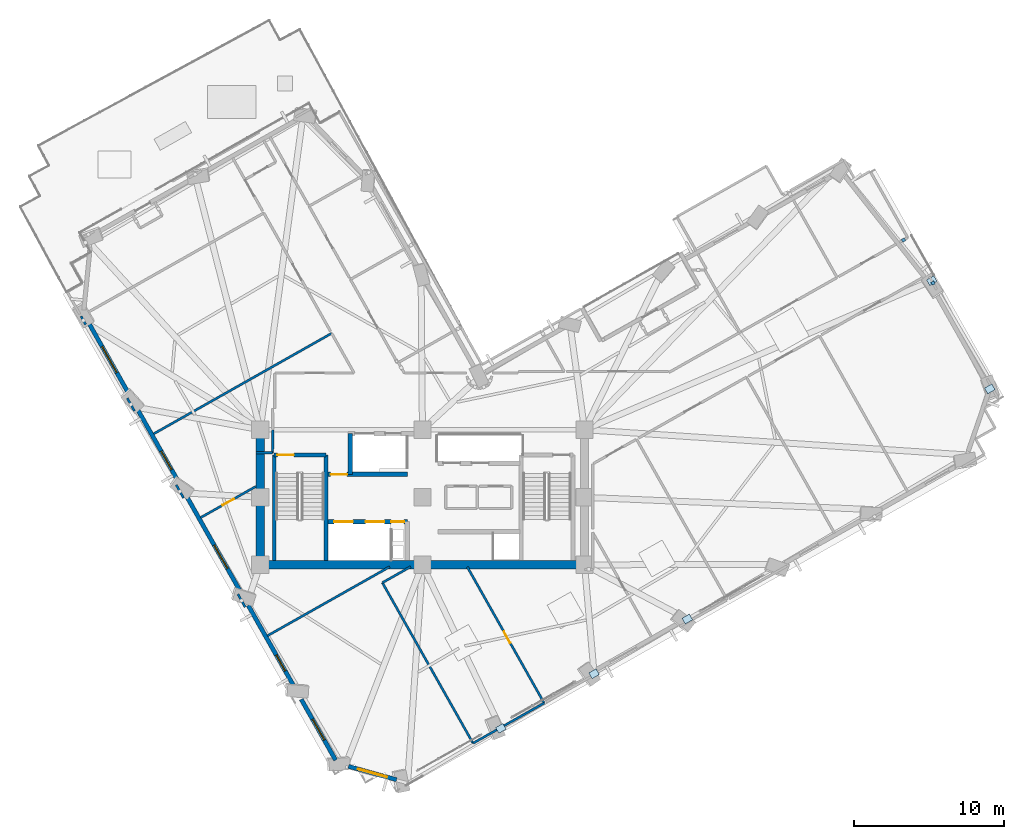
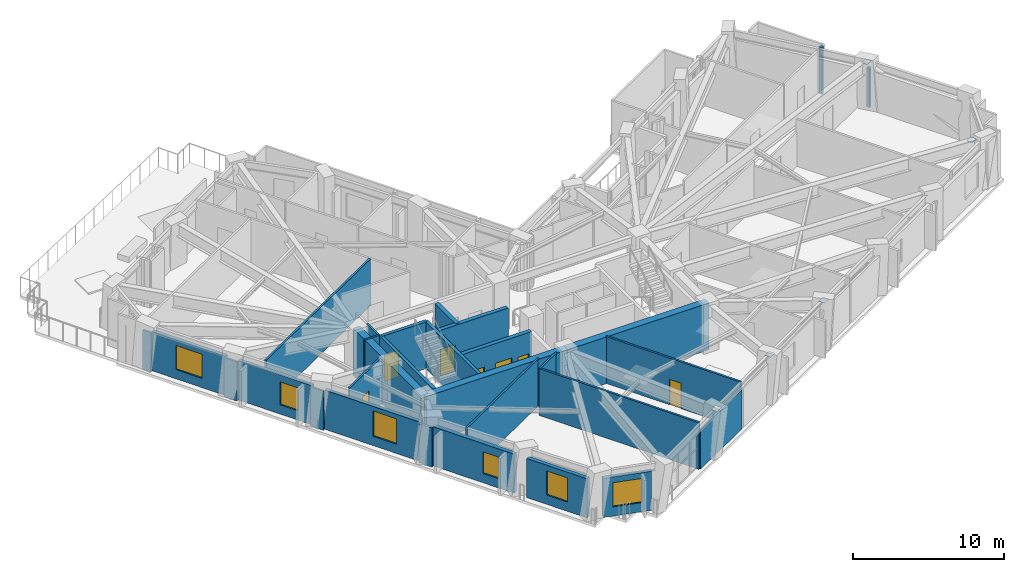
# One storey, part 10 of 18: 28 walls, 7 doors, 7 plates, 6 windows, 13 openings.
"""IFC4 building model written with IfcOpenShell, lengths in metres."""

from ifc_helpers import new_model, si_unit, direction, frame, frame_2d, origin, origin_2d, place, context, subcontext, project, spatial, rectangle, extrude, material, layer, layer_set, type_object, element, fill, save


model = new_model("IFC4")

# Units and contexts
model_context = context("Model", 3, precision=1e-05, world=origin(), true_north=direction((0.0, 1.0)))
body_context = subcontext(model_context, "Body", "Model", "MODEL_VIEW")
ifc_project = project(units=[si_unit("LENGTHUNIT", "METRE"), si_unit("AREAUNIT", "SQUARE_METRE"), si_unit("VOLUMEUNIT", "CUBIC_METRE"), si_unit("PLANEANGLEUNIT", "RADIAN"), si_unit("MASSUNIT", "GRAM", prefix="KILO")], contexts=[model_context])

# Site, building, storey
site_placement = place(None, origin())
site = spatial("IfcSite", under=ifc_project, at=site_placement, CompositionType="ELEMENT")
building_placement = place(site_placement, origin())
building = spatial("IfcBuilding", under=site, at=building_placement, Name="Gaonmaruhae Medical Tower", CompositionType="ELEMENT")
storey_placement = place(building_placement, frame((0.0, 0.0, 149.800048828125)))
storey = spatial("IfcBuildingStorey", under=building, at=storey_placement, Name="L35", CompositionType="ELEMENT", Elevation=149.800048828125)

# Plates
ifc_material_1 = material(Name="Steel HSA650 (650 MPa)", Category="steel")
ifc_layer_1 = layer(ifc_material_1, 0.028076171875)
ifc_layer_set_1 = layer_set([ifc_layer_1], Name="Steel HSA650 (650 MPa)")
plate_type_1 = type_object("IfcPlateType", Name="GP-02 Tube Brace End Cap Gusset Plate", PredefinedType="USERDEFINED", material=ifc_layer_set_1)
for number, where, z_axis, x_axis, name in (
    (1, (62.591064453125, 19.52197265625, 0.23583984375), (0.0, 0.0, 1.0), (0.8707850851, 0.491663844071, 0.0), "L35 Gusset Cap Plate PLT-L35-PBR-E01A"),
    (2, (58.7275390625, 26.73095703125, 3.51611328125), (0.0, 0.0, 1.0), (0.862513669207, 0.506033764121, 0.0), "L35 Gusset Cap Plate PLT-L35-PBR-E01B"),
    (3, (30.02392578125, -3.0947265625, 3.61083984375), (0.0, 0.0, 1.0), (0.862513669207, 0.506033764121, 0.0), "L35 Gusset Cap Plate PLT-L35-SGPR1A"),
    (4, (36.234130859375, 0.548828125, 3.61083984375), (0.0, 0.0, 1.0), (0.862513669207, 0.506033764121, 0.0), "L35 Gusset Cap Plate PLT-L35-SGPR1B"),
    (5, (42.444091796875, 4.192138671875, 3.61083984375), (0.0, 0.0, 1.0), (0.862513669207, 0.506033764121, 0.0), "L35 Gusset Cap Plate PLT-L35-SGPR2B"),
):
    element("IfcPlate", number, at=place(storey_placement, frame(where, z_axis=z_axis, x_axis=x_axis)), inside=storey, type_object=plate_type_1, Name=name, ObjectType="GUSSET_PLATE", PredefinedType="USERDEFINED", context=body_context, shape_type="SweptSolid", body=[
        extrude(rectangle(XDim=0.56005859375, YDim=0.43994140625, at=origin_2d()), origin(), (0.0, 0.0, 1.0), 0.028076171875),
    ])
ifc_material_2 = material(Name="Anodised aluminium 6063-T6", Category="aluminium")
ifc_layer_2 = layer(ifc_material_2, 0.011962890625)
ifc_layer_set_2 = layer_set([ifc_layer_2], Name="Anodised aluminium 6063-T6")
plate_type_2 = type_object("IfcPlateType", Name="PP-01 Interior Partition Corner Stiffener Plate", PredefinedType="SHEET", material=ifc_layer_set_2)
plate_1_placement = place(storey_placement, frame((58.80859375, 26.56689453125, 0.0), z_axis=(0.0, 0.0, 1.0), x_axis=(0.491223037174, -0.871033826983, 0.0)))
element("IfcPlate", 6, at=plate_1_placement, inside=storey, type_object=plate_type_2, Name="L35 Partition Corner Stiffener Plate PLT-L35-JGP-PW030", PredefinedType="SHEET", context=body_context, shape_type="SweptSolid", body=[
    extrude(rectangle(XDim=0.219970703125, YDim=0.219970703125, at=origin_2d()), origin(), (0.0, 0.0, 1.0), 3.1650390625),
])
plate_2_placement = place(storey_placement, frame((56.843505859375, 29.4375, 0.0), z_axis=(0.0, 0.0, 1.0), x_axis=(-0.870450218436, -0.492256454731, 0.0)))
element("IfcPlate", 7, at=plate_2_placement, inside=storey, type_object=plate_type_2, Name="L35 Partition Corner Stiffener Plate PLT-L35-JGP-PW092", PredefinedType="SHEET", context=body_context, shape_type="SweptSolid", body=[
    extrude(rectangle(XDim=0.219970703125, YDim=0.219970703125, at=origin_2d()), origin(), (0.0, 0.0, 1.0), 3.780029296875),
])

# Walls
ifc_material_3 = material(Name="Concrete C50/60", Category="concrete")
ifc_layer_3 = layer(ifc_material_3, 0.550048828125)
ifc_layer_set_3 = layer_set([ifc_layer_3], Name="Concrete C50/60")
wall_type_1 = type_object("IfcWallType", Name="CW-550 Mid-High Core Shear Wall", PredefinedType="SHEAR", material=ifc_layer_set_3)
for number, where, z_axis, x_axis, name in (
    (8, (14.0, 7.800048828125, 0.0), (0.0, 0.0, 1.0), (1.0, 0.0, 0.0), "L35 Core Shear Wall CSW-S1"),
    (9, (24.800048828125, 7.800048828125, 0.0), (0.0, 0.0, 1.0), (1.0, 0.0, 0.0), "L35 Core Shear Wall CSW-S2"),
):
    element("IfcWall", number, at=place(storey_placement, frame(where, z_axis=z_axis, x_axis=x_axis)), inside=storey, type_object=wall_type_1, Name=name, PredefinedType="SHEAR", context=body_context, shape_type="SweptSolid", body=[
        extrude(rectangle(XDim=10.800048828125, YDim=0.550048828125, at=frame_2d((5.39990234375, 0.0))), origin(), (0.0, 0.0, 1.0), 3.780029296875),
    ])
wall_1_placement = place(storey_placement, frame((14.0, 16.800048828125, 0.0), z_axis=(0.0, 0.0, 1.0), x_axis=(0.0, -1.0, 0.0)))
element("IfcWall", 10, at=wall_1_placement, inside=storey, type_object=wall_type_1, Name="L35 Core Shear Wall CSW-W1", PredefinedType="SHEAR", context=body_context, shape_type="SweptSolid", body=[
    extrude(rectangle(XDim=9.0, YDim=0.550048828125, at=frame_2d((4.5, 0.0))), origin(), (0.0, 0.0, 1.0), 3.780029296875),
])

# Wall, opening, window
ifc_material_4 = material(Name="Precast concrete C45/55", Category="concrete")
ifc_layer_4 = layer(ifc_material_4, 0.280029296875)
ifc_layer_set_4 = layer_set([ifc_layer_4], Name="Precast concrete C45/55")
wall_type_2 = type_object("IfcWallType", Name="EW-280 Upper Precast Masonry-Frame Facade Wall", PredefinedType="SOLIDWALL", material=ifc_layer_set_4)
wall_2_placement = place(storey_placement, frame((5.339111328125, 19.021728515625, 0.0), z_axis=(0.0, 0.0, 1.0), x_axis=(-0.49164265264, 0.870797049894, 0.0)))
wall_2 = element("IfcWall", 11, at=wall_2_placement, inside=storey, type_object=wall_type_2, Name="L35 Precast Masonry-Frame Wall W01-W02", PredefinedType="SOLIDWALL", context=body_context, shape_type="SweptSolid", body=[
    extrude(rectangle(XDim=5.627685546875, YDim=0.280029296875, at=frame_2d((2.81396484375, 0.0))), origin(), (0.0, 0.0, 1.0), 3.1650390625),
])
opening_1_placement = place(wall_2_placement, frame((1.81103515625, 0.0, 0.75)))
opening_1 = element("IfcOpeningElement", 12, at=opening_1_placement, cuts=wall_2, Name="Opening WN-02", PredefinedType="OPENING", context=body_context, shape_type="SweptSolid", body=[
    extrude(rectangle(XDim=2.0, YDim=1.949951171875, at=frame_2d((1.0, 0.97509765625))), frame((0.0, 0.14990234375, 0.0), z_axis=(0.0, -1.0, 0.0), x_axis=(1.0, 0.0, 0.0)), (0.0, 0.0, 1.0), 0.300048828125),
])
ifc_material_5 = material(Name="Anodised aluminium and Low-E double glazing", Category="aluminium")
window_type_1 = type_object("IfcWindowType", Name="WN-02 Double-Bed Ward Punched Window 2000x1950", PartitioningType="SINGLE_PANEL", PredefinedType="WINDOW", material=ifc_material_5)
window_1_placement = place(opening_1_placement, origin())
window_1 = element("IfcWindow", 13, at=window_1_placement, inside=storey, type_object=window_type_1, Name="L35 Modular Facade Window W01", OverallHeight=1.949951171875, OverallWidth=2.0, PartitioningType="SINGLE_PANEL", PredefinedType="WINDOW", context=body_context, shape_type="SweptSolid", body=[
    extrude(rectangle(XDim=2.0, YDim=1.949951171875, at=frame_2d((1.0, 0.97509765625))), frame((0.0, 0.030029296875, 0.0), z_axis=(0.0, -1.0, 0.0), x_axis=(1.0, 0.0, 0.0)), (0.0, 0.0, 1.0), 0.06005859375),
])
fill(opening_1, window_1)

wall_3_placement = place(storey_placement, frame((8.606201171875, 13.235595703125, 0.0), z_axis=(0.0, 0.0, 1.0), x_axis=(-0.491646579906, 0.870794832591, 0.0)))
wall_3 = element("IfcWall", 14, at=wall_3_placement, inside=storey, type_object=wall_type_2, Name="L35 Precast Masonry-Frame Wall W02-W03", PredefinedType="SOLIDWALL", context=body_context, shape_type="SweptSolid", body=[
    extrude(rectangle(XDim=5.661865234375, YDim=0.280029296875, at=frame_2d((2.8310546875, 0.0))), origin(), (0.0, 0.0, 1.0), 3.1650390625),
])
opening_2_placement = place(wall_3_placement, frame((1.04833984375, 0.0, 0.75)))
opening_2 = element("IfcOpeningElement", 15, at=opening_2_placement, cuts=wall_3, Name="Opening WN-03", PredefinedType="OPENING", context=body_context, shape_type="SweptSolid", body=[
    extrude(rectangle(XDim=1.39990234375, YDim=1.85009765625, at=frame_2d((0.699951171875, 0.925048828125))), frame((0.0, 0.14990234375, 0.0), z_axis=(0.0, -1.0, 0.0), x_axis=(1.0, 0.0, 0.0)), (0.0, 0.0, 1.0), 0.300048828125),
])
window_type_2 = type_object("IfcWindowType", Name="WN-03 Isolation Ward Punched Window 1400x1850", PartitioningType="SINGLE_PANEL", PredefinedType="WINDOW", material=ifc_material_5)
window_2_placement = place(opening_2_placement, origin())
window_2 = element("IfcWindow", 16, at=window_2_placement, inside=storey, type_object=window_type_2, Name="L35 Modular Facade Window W02", OverallHeight=1.85009765625, OverallWidth=1.39990234375, PartitioningType="SINGLE_PANEL", PredefinedType="WINDOW", context=body_context, shape_type="SweptSolid", body=[
    extrude(rectangle(XDim=1.39990234375, YDim=1.85009765625, at=frame_2d((0.699951171875, 0.925048828125))), frame((0.0, 0.030029296875, 0.0), z_axis=(0.0, -1.0, 0.0), x_axis=(1.0, 0.0, 0.0)), (0.0, 0.0, 1.0), 0.06005859375),
])
fill(opening_2, window_2)

wall_4_placement = place(storey_placement, frame((12.712890625, 5.96240234375, 0.0), z_axis=(0.0, 0.0, 1.0), x_axis=(-0.491677941707, 0.870777125123, 0.0)))
wall_4 = element("IfcWall", 17, at=wall_4_placement, inside=storey, type_object=wall_type_2, Name="L35 Precast Masonry-Frame Wall W03-W04", PredefinedType="SOLIDWALL", context=body_context, shape_type="SweptSolid", body=[
    extrude(rectangle(XDim=7.3603515625, YDim=0.280029296875, at=frame_2d((3.68017578125, 0.0))), origin(), (0.0, 0.0, 1.0), 3.1650390625),
])
opening_3_placement = place(wall_4_placement, frame((1.8251953125, 0.0, 0.75)))
opening_3 = element("IfcOpeningElement", 18, at=opening_3_placement, cuts=wall_4, Name="Opening WN-04", PredefinedType="OPENING", context=body_context, shape_type="SweptSolid", body=[
    extrude(rectangle(XDim=1.800048828125, YDim=2.050048828125, at=frame_2d((0.89990234375, 1.02490234375))), frame((0.0, 0.14990234375, 0.0), z_axis=(0.0, -1.0, 0.0), x_axis=(1.0, 0.0, 0.0)), (0.0, 0.0, 1.0), 0.300048828125),
])
window_type_3 = type_object("IfcWindowType", Name="WN-04 Clinic & Consult Punched Window 1800x2050", PartitioningType="SINGLE_PANEL", PredefinedType="WINDOW", material=ifc_material_5)
window_3_placement = place(opening_3_placement, origin())
window_3 = element("IfcWindow", 19, at=window_3_placement, inside=storey, type_object=window_type_3, Name="L35 Modular Facade Window W03", OverallHeight=2.050048828125, OverallWidth=1.800048828125, PartitioningType="SINGLE_PANEL", PredefinedType="WINDOW", context=body_context, shape_type="SweptSolid", body=[
    extrude(rectangle(XDim=1.800048828125, YDim=2.050048828125, at=frame_2d((0.89990234375, 1.02490234375))), frame((0.0, 0.030029296875, 0.0), z_axis=(0.0, -1.0, 0.0), x_axis=(1.0, 0.0, 0.0)), (0.0, 0.0, 1.0), 0.06005859375),
])
fill(opening_3, window_3)

wall_5_placement = place(storey_placement, frame((16.257568359375, -0.31591796875, 0.0), z_axis=(0.0, 0.0, 1.0), x_axis=(-0.491650025139, 0.87079288742, 0.0)))
wall_5 = element("IfcWall", 20, at=wall_5_placement, inside=storey, type_object=wall_type_2, Name="L35 Precast Masonry-Frame Wall W04-W05", PredefinedType="SOLIDWALL", context=body_context, shape_type="SweptSolid", body=[
    extrude(rectangle(XDim=6.2236328125, YDim=0.280029296875, at=frame_2d((3.11181640625, 0.0))), origin(), (0.0, 0.0, 1.0), 3.1650390625),
])
opening_4_placement = place(wall_5_placement, frame((1.212646484375, 0.0, 0.75)))
opening_4 = element("IfcOpeningElement", 21, at=opening_4_placement, cuts=wall_5, Name="Opening WN-05", PredefinedType="OPENING", context=body_context, shape_type="SweptSolid", body=[
    extrude(rectangle(XDim=1.199951171875, YDim=1.75, at=frame_2d((0.60009765625, 0.875))), frame((0.0, 0.14990234375, 0.0), z_axis=(0.0, -1.0, 0.0), x_axis=(1.0, 0.0, 0.0)), (0.0, 0.0, 1.0), 0.300048828125),
])
window_type_4 = type_object("IfcWindowType", Name="WN-05 Support & Staff Punched Window 1200x1750", PartitioningType="SINGLE_PANEL", PredefinedType="WINDOW", material=ifc_material_5)
window_4_placement = place(opening_4_placement, origin())
window_4 = element("IfcWindow", 22, at=window_4_placement, inside=storey, type_object=window_type_4, Name="L35 Modular Facade Window W04", OverallHeight=1.75, OverallWidth=1.199951171875, PartitioningType="SINGLE_PANEL", PredefinedType="WINDOW", context=body_context, shape_type="SweptSolid", body=[
    extrude(rectangle(XDim=1.199951171875, YDim=1.75, at=frame_2d((0.60009765625, 0.875))), frame((0.0, 0.030029296875, 0.0), z_axis=(0.0, -1.0, 0.0), x_axis=(1.0, 0.0, 0.0)), (0.0, 0.0, 1.0), 0.06005859375),
])
fill(opening_4, window_4)

wall_6_placement = place(storey_placement, frame((19.017333984375, -5.20361328125, 0.0), z_axis=(0.0, 0.0, 1.0), x_axis=(-0.49163484589, 0.870801457455, 0.0)))
wall_6 = element("IfcWall", 23, at=wall_6_placement, inside=storey, type_object=wall_type_2, Name="L35 Precast Masonry-Frame Wall W05-W06", PredefinedType="SOLIDWALL", context=body_context, shape_type="SweptSolid", body=[
    extrude(rectangle(XDim=4.6474609375, YDim=0.280029296875, at=frame_2d((2.32373046875, 0.0))), origin(), (0.0, 0.0, 1.0), 3.1650390625),
])
opening_5_placement = place(wall_6_placement, frame((1.527099609375, 0.0, 0.75)))
opening_5 = element("IfcOpeningElement", 24, at=opening_5_placement, cuts=wall_6, Name="Opening WN-01", PredefinedType="OPENING", context=body_context, shape_type="SweptSolid", body=[
    extrude(rectangle(XDim=1.60009765625, YDim=1.949951171875, at=frame_2d((0.800048828125, 0.97509765625))), frame((0.0, 0.14990234375, 0.0), z_axis=(0.0, -1.0, 0.0), x_axis=(1.0, 0.0, 0.0)), (0.0, 0.0, 1.0), 0.300048828125),
])
window_type_5 = type_object("IfcWindowType", Name="WN-01 Ward Punched Acoustic Window 1600x1950", PartitioningType="SINGLE_PANEL", PredefinedType="WINDOW", material=ifc_material_5)
window_5_placement = place(opening_5_placement, origin())
window_5 = element("IfcWindow", 25, at=window_5_placement, inside=storey, type_object=window_type_5, Name="L35 Modular Facade Window W05", OverallHeight=1.949951171875, OverallWidth=1.60009765625, PartitioningType="SINGLE_PANEL", PredefinedType="WINDOW", context=body_context, shape_type="SweptSolid", body=[
    extrude(rectangle(XDim=1.60009765625, YDim=1.949951171875, at=frame_2d((0.800048828125, 0.97509765625))), frame((0.0, 0.030029296875, 0.0), z_axis=(0.0, -1.0, 0.0), x_axis=(1.0, 0.0, 0.0)), (0.0, 0.0, 1.0), 0.06005859375),
])
fill(opening_5, window_5)

wall_7_placement = place(storey_placement, frame((23.077880859375, -6.511962890625, 0.0), z_axis=(0.0, 0.0, 1.0), x_axis=(-0.963389377338, 0.268106149932, 0.0)))
wall_7 = element("IfcWall", 26, at=wall_7_placement, inside=storey, type_object=wall_type_2, Name="L35 Precast Masonry-Frame Wall W06-S01", PredefinedType="SOLIDWALL", context=body_context, shape_type="SweptSolid", body=[
    extrude(rectangle(XDim=3.32275390625, YDim=0.280029296875, at=frame_2d((1.661376953125, 0.0))), origin(), (0.0, 0.0, 1.0), 3.1650390625),
])
opening_6_placement = place(wall_7_placement, frame((0.660888671875, 0.0, 0.75)))
opening_6 = element("IfcOpeningElement", 27, at=opening_6_placement, cuts=wall_7, Name="Opening WN-02", PredefinedType="OPENING", context=body_context, shape_type="SweptSolid", body=[
    extrude(rectangle(XDim=2.0, YDim=1.949951171875, at=frame_2d((1.0, 0.97509765625))), frame((0.0, 0.14990234375, 0.0), z_axis=(0.0, -1.0, 0.0), x_axis=(1.0, 0.0, 0.0)), (0.0, 0.0, 1.0), 0.300048828125),
])
window_6_placement = place(opening_6_placement, origin())
window_6 = element("IfcWindow", 28, at=window_6_placement, inside=storey, type_object=window_type_1, Name="L35 Modular Facade Window W06", OverallHeight=1.949951171875, OverallWidth=2.0, PartitioningType="SINGLE_PANEL", PredefinedType="WINDOW", context=body_context, shape_type="SweptSolid", body=[
    extrude(rectangle(XDim=2.0, YDim=1.949951171875, at=frame_2d((1.0, 0.97509765625))), frame((0.0, 0.030029296875, 0.0), z_axis=(0.0, -1.0, 0.0), x_axis=(1.0, 0.0, 0.0)), (0.0, 0.0, 1.0), 0.06005859375),
])
fill(opening_6, window_6)

# Walls
ifc_material_6 = material(Name="Gypsum board partition", Category="gypsum")
ifc_layer_5 = layer(ifc_material_6, 0.14990234375)
ifc_layer_set_5 = layer_set([ifc_layer_5], Name="Gypsum board partition")
wall_type_3 = type_object("IfcWallType", Name="PW-150 Rated Clinical Corridor Partition", PredefinedType="PARTITIONING", material=ifc_layer_set_5)
wall_8_placement = place(storey_placement, frame((32.909912109375, -1.405029296875, 0.0), z_axis=(0.0, 0.0, 1.0), x_axis=(-0.870742489577, -0.491739277306, 0.0)))
element("IfcWall", 29, at=wall_8_placement, inside=storey, type_object=wall_type_3, Name="L35 Interior Partition L35-SUP02-8", PredefinedType="PARTITIONING", context=body_context, shape_type="SweptSolid", body=[
    extrude(rectangle(XDim=5.43994140625, YDim=0.14990234375, at=frame_2d((2.719970703125, 0.0))), origin(), (0.0, 0.0, 1.0), 3.1650390625),
])
wall_9_placement = place(storey_placement, frame((28.173095703125, -4.080078125, 0.0), z_axis=(0.0, 0.0, 1.0), x_axis=(-0.491696252215, 0.870766785976, 0.0)))
element("IfcWall", 30, at=wall_9_placement, inside=storey, type_object=wall_type_3, Name="L35 Interior Partition L35-SUP02-9", PredefinedType="PARTITIONING", context=body_context, shape_type="SweptSolid", body=[
    extrude(rectangle(XDim=12.280029296875, YDim=0.14990234375, at=frame_2d((6.14013671875, 0.0))), origin(), (0.0, 0.0, 1.0), 3.780029296875),
])
wall_10_placement = place(storey_placement, frame((22.135009765625, 6.613037109375, 0.0), z_axis=(0.0, 0.0, 1.0), x_axis=(0.870804799459, 0.491628926366, 0.0)))
element("IfcWall", 31, at=wall_10_placement, inside=storey, type_object=wall_type_3, Name="L35 Interior Partition L35-SUP02-10", PredefinedType="PARTITIONING", context=body_context, shape_type="SweptSolid", body=[
    extrude(rectangle(XDim=2.16015625, YDim=0.14990234375, at=frame_2d((1.080078125, 0.0))), origin(), (0.0, 0.0, 1.0), 3.780029296875),
])

# Wall, opening, door
wall_11_placement = place(storey_placement, frame((27.791015625, 7.660888671875, 0.0), z_axis=(0.0, 0.0, 1.0), x_axis=(0.491670086217, -0.870781560622, 0.0)))
wall_11 = element("IfcWall", 32, at=wall_11_placement, inside=storey, type_object=wall_type_3, Name="L35 Interior Partition L35-SUP02-11", PredefinedType="PARTITIONING", context=body_context, shape_type="SweptSolid", body=[
    extrude(rectangle(XDim=10.4111328125, YDim=0.14990234375, at=frame_2d((5.20556640625, 0.0))), origin(), (0.0, 0.0, 1.0), 3.780029296875),
])
opening_7_placement = place(wall_11_placement, frame((4.94775390625, 0.0, 0.0)))
opening_7 = element("IfcOpeningElement", 33, at=opening_7_placement, cuts=wall_11, Name="Opening AD-01", PredefinedType="OPENING", context=body_context, shape_type="SweptSolid", body=[
    extrude(rectangle(XDim=0.860107421875, YDim=2.06005859375, at=frame_2d((0.43017578125, 1.030029296875))), frame((0.0, 0.0849609375, 0.0), z_axis=(0.0, -1.0, 0.0), x_axis=(1.0, 0.0, 0.0)), (0.0, 0.0, 1.0), 0.169921875),
])
ifc_material_7 = material(Name="Powder-coated steel access door", Category="steel")
door_type_1 = type_object("IfcDoorType", Name="AD-01 Riser & Closet Access Fire Door 860x2060", OperationType="NOTDEFINED", PredefinedType="DOOR", material=ifc_material_7)
door_1_placement = place(opening_7_placement, origin())
door_1 = element("IfcDoor", 34, at=door_1_placement, inside=storey, type_object=door_type_1, Name="L35 Clinical Biomedical Charting Office Sliding Door", OperationType="SLIDING_TO_LEFT", OverallHeight=2.06005859375, OverallWidth=0.860107421875, PredefinedType="DOOR", context=body_context, shape_type="SweptSolid", body=[
    extrude(rectangle(XDim=0.860107421875, YDim=2.06005859375, at=frame_2d((0.43017578125, 1.030029296875))), frame((0.0, 0.02490234375, 0.0), z_axis=(0.0, -1.0, 0.0), x_axis=(1.0, 0.0, 0.0)), (0.0, 0.0, 1.0), 0.050048828125),
])
fill(opening_7, door_1)

# Walls
wall_12_placement = place(storey_placement, frame((22.623046875, 7.675048828125, 0.0), z_axis=(0.0, 0.0, 1.0), x_axis=(-0.870803770124, -0.491630749586, 0.0)))
element("IfcWall", 35, at=wall_12_placement, inside=storey, type_object=wall_type_3, Name="L35 Interior Partition L35-WOF08-34", PredefinedType="PARTITIONING", context=body_context, shape_type="SweptSolid", body=[
    extrude(rectangle(XDim=9.35693359375, YDim=0.14990234375, at=frame_2d((4.678466796875, 0.0))), origin(), (0.0, 0.0, 1.0), 3.780029296875),
])
wall_13_placement = place(storey_placement, frame((12.9970703125, 4.990966796875, 0.0), z_axis=(0.0, 0.0, 1.0), x_axis=(-0.492106220765, 0.870535161544, 0.0)))
element("IfcWall", 36, at=wall_13_placement, inside=storey, type_object=wall_type_3, Name="L35 Interior Partition L35-WOF08-35", PredefinedType="PARTITIONING", context=body_context, shape_type="SweptSolid", body=[
    extrude(rectangle(XDim=0.98583984375, YDim=0.14990234375, at=frame_2d((0.492919921875, 0.0))), origin(), (0.0, 0.0, 1.0), 3.1650390625),
])

# Wall, opening, door
wall_14_placement = place(storey_placement, frame((10.031005859375, 10.947021484375, 0.0), z_axis=(0.0, 0.0, 1.0), x_axis=(0.870738681616, 0.491746020154, 0.0)))
wall_14 = element("IfcWall", 37, at=wall_14_placement, inside=storey, type_object=wall_type_3, Name="L35 Interior Partition L35-WOF08-36", PredefinedType="PARTITIONING", context=body_context, shape_type="SweptSolid", body=[
    extrude(rectangle(XDim=4.213623046875, YDim=0.14990234375, at=frame_2d((2.10693359375, 0.0))), origin(), (0.0, 0.0, 1.0), 3.780029296875),
])
opening_8_placement = place(wall_14_placement, frame((1.6767578125, 0.0, 0.0)))
opening_8 = element("IfcOpeningElement", 38, at=opening_8_placement, cuts=wall_14, Name="Opening AD-01", PredefinedType="OPENING", context=body_context, shape_type="SweptSolid", body=[
    extrude(rectangle(XDim=0.860107421875, YDim=2.06005859375, at=frame_2d((0.43017578125, 1.030029296875))), frame((0.0, 0.0849609375, 0.0), z_axis=(0.0, -1.0, 0.0), x_axis=(1.0, 0.0, 0.0)), (0.0, 0.0, 1.0), 0.169921875),
])
door_2_placement = place(opening_8_placement, origin())
door_2 = element("IfcDoor", 39, at=door_2_placement, inside=storey, type_object=door_type_1, Name="L35 Ward Physician Reporting Office Sliding Door", OperationType="SLIDING_TO_LEFT", OverallHeight=2.06005859375, OverallWidth=0.860107421875, PredefinedType="DOOR", context=body_context, shape_type="SweptSolid", body=[
    extrude(rectangle(XDim=0.860107421875, YDim=2.06005859375, at=frame_2d((0.43017578125, 1.030029296875))), frame((0.0, 0.02490234375, 0.0), z_axis=(0.0, -1.0, 0.0), x_axis=(1.0, 0.0, 0.0)), (0.0, 0.0, 1.0), 0.050048828125),
])
fill(opening_8, door_2)

# Walls
wall_15_placement = place(storey_placement, frame((14.841064453125, 16.800048828125, 0.0), z_axis=(0.0, 0.0, 1.0), x_axis=(-0.01363221443, -0.999907077048, 0.0)))
element("IfcWall", 40, at=wall_15_placement, inside=storey, type_object=wall_type_3, Name="L35 Interior Partition L35-WOF09-39", PredefinedType="PARTITIONING", context=body_context, shape_type="SweptSolid", body=[
    extrude(rectangle(XDim=1.540283203125, YDim=0.14990234375, at=frame_2d((0.77001953125, 0.0))), origin(), (0.0, 0.0, 1.0), 3.780029296875),
])
wall_16_placement = place(storey_placement, frame((14.820068359375, 15.260009765625, 0.0), z_axis=(0.0, 0.0, 1.0), x_axis=(-1.0, 0.0, 0.0)))
element("IfcWall", 41, at=wall_16_placement, inside=storey, type_object=wall_type_3, Name="L35 Interior Partition L35-WOF09-40", PredefinedType="PARTITIONING", context=body_context, shape_type="SweptSolid", body=[
    extrude(rectangle(XDim=1.1201171875, YDim=0.14990234375, at=frame_2d((0.56005859375, 0.0))), origin(), (0.0, 0.0, 1.0), 3.780029296875),
])
wall_17_placement = place(storey_placement, frame((8.89404296875, 12.259033203125, 0.0), z_axis=(0.0, 0.0, 1.0), x_axis=(-0.491814027266, 0.870700271382, 0.0)))
element("IfcWall", 42, at=wall_17_placement, inside=storey, type_object=wall_type_3, Name="L35 Interior Partition L35-WOF09-41", PredefinedType="PARTITIONING", context=body_context, shape_type="SweptSolid", body=[
    extrude(rectangle(XDim=0.992431640625, YDim=0.14990234375, at=frame_2d((0.49609375, 0.0))), origin(), (0.0, 0.0, 1.0), 3.1650390625),
])
wall_18_placement = place(storey_placement, frame((6.884033203125, 16.51904296875, 0.0), z_axis=(0.0, 0.0, 1.0), x_axis=(0.870744187076, 0.491736271464, 0.0)))
element("IfcWall", 43, at=wall_18_placement, inside=storey, type_object=wall_type_3, Name="L35 Interior Partition L35-WOF09-42", PredefinedType="PARTITIONING", context=body_context, shape_type="SweptSolid", body=[
    extrude(rectangle(XDim=13.635498046875, YDim=0.14990234375, at=frame_2d((6.81787109375, 0.0))), origin(), (0.0, 0.0, 1.0), 3.780029296875),
])
wall_19_placement = place(storey_placement, frame((5.6220703125, 18.052978515625, 0.0), z_axis=(0.0, 0.0, 1.0), x_axis=(-0.491557910724, 0.870844888832, 0.0)))
element("IfcWall", 44, at=wall_19_placement, inside=storey, type_object=wall_type_3, Name="L35 Interior Partition L35-WOF10-47", PredefinedType="PARTITIONING", context=body_context, shape_type="SweptSolid", body=[
    extrude(rectangle(XDim=0.98291015625, YDim=0.14990234375, at=frame_2d((0.491455078125, 0.0))), origin(), (0.0, 0.0, 1.0), 3.1650390625),
])
wall_20_placement = place(storey_placement, frame((2.3720703125, 23.80908203125, 0.0), z_axis=(0.0, 0.0, 1.0), x_axis=(-0.492069943892, 0.870555667558, 0.0)))
element("IfcWall", 45, at=wall_20_placement, inside=storey, type_object=wall_type_3, Name="L35 Interior Partition L35-WOF10-48", PredefinedType="PARTITIONING", context=body_context, shape_type="SweptSolid", body=[
    extrude(rectangle(XDim=0.634033203125, YDim=0.14990234375, at=frame_2d((0.31689453125, 0.0))), origin(), (0.0, 0.0, 1.0), 3.1650390625),
])

# Wall, opening, door
ifc_layer_6 = layer(ifc_material_3, 0.239990234375)
ifc_layer_set_6 = layer_set([ifc_layer_6], Name="Concrete C50/60")
wall_type_4 = type_object("IfcWallType", Name="SW-240 Dogleg Stair Tight Shaft Wall", PredefinedType="SOLIDWALL", material=ifc_layer_set_6)
wall_21_placement = place(storey_placement, frame((14.919921875, 15.1201171875, 0.0), z_axis=(0.0, 0.0, 1.0), x_axis=(1.0, 0.0, 0.0)))
wall_21 = element("IfcWall", 46, at=wall_21_placement, inside=storey, type_object=wall_type_4, Name="L35 ST-01 Stair Shaft Wall SHW-ST-01-N", PredefinedType="SOLIDWALL", context=body_context, shape_type="SweptSolid", body=[
    extrude(rectangle(XDim=3.4599609375, YDim=0.239990234375, at=frame_2d((1.72998046875, 0.0))), origin(), (0.0, 0.0, 1.0), 3.780029296875),
])
opening_9_placement = place(wall_21_placement, frame((0.219970703125, 0.0, 0.0)))
opening_9 = element("IfcOpeningElement", 47, at=opening_9_placement, cuts=wall_21, Name="Opening FD-01", PredefinedType="OPENING", context=body_context, shape_type="SweptSolid", body=[
    extrude(rectangle(XDim=1.10009765625, YDim=2.14990234375, at=frame_2d((0.550048828125, 1.074951171875))), frame((0.0, 0.1298828125, 0.0), z_axis=(0.0, -1.0, 0.0), x_axis=(1.0, 0.0, 0.0)), (0.0, 0.0, 1.0), 0.260009765625),
])
ifc_material_8 = material(Name="Powder-coated steel fire door", Category="steel")
door_type_2 = type_object("IfcDoorType", Name="FD-01 Escape Stair Protected Fire Door 1100x2150", OperationType="NOTDEFINED", PredefinedType="DOOR", material=ifc_material_8)
door_3_placement = place(opening_9_placement, origin())
door_3 = element("IfcDoor", 48, at=door_3_placement, inside=storey, type_object=door_type_2, Name="L35 ST-01 Protected Escape Stair Door", OperationType="SINGLE_SWING_LEFT", OverallHeight=2.14990234375, OverallWidth=1.10009765625, PredefinedType="DOOR", context=body_context, shape_type="SweptSolid", body=[
    extrude(rectangle(XDim=1.10009765625, YDim=2.14990234375, at=frame_2d((0.550048828125, 1.074951171875))), frame((0.0, 0.02490234375, 0.0), z_axis=(0.0, -1.0, 0.0), x_axis=(1.0, 0.0, 0.0)), (0.0, 0.0, 1.0), 0.050048828125),
])
fill(opening_9, door_3)

# Walls
for number, where, z_axis, x_axis, name in (
    (49, (18.3798828125, 15.1201171875, 0.0), (0.0, 0.0, 1.0), (0.0, -1.0, 0.0), "L35 ST-01 Stair Shaft Wall SHW-ST-01-E"),
    (50, (14.919921875, 8.074951171875, 0.0), (0.0, 0.0, 1.0), (0.0, 1.0, 0.0), "L35 ST-01 Stair Shaft Wall SHW-ST-01-W"),
):
    element("IfcWall", number, at=place(storey_placement, frame(where, z_axis=z_axis, x_axis=x_axis)), inside=storey, type_object=wall_type_4, Name=name, PredefinedType="SOLIDWALL", context=body_context, shape_type="SweptSolid", body=[
        extrude(rectangle(XDim=7.045166015625, YDim=0.239990234375, at=frame_2d((3.5224609375, 0.0))), origin(), (0.0, 0.0, 1.0), 3.780029296875),
    ])

# Wall, openings, doors
ifc_layer_7 = layer(ifc_material_3, 0.300048828125)
ifc_layer_set_7 = layer_set([ifc_layer_7], Name="Concrete C50/60")
wall_type_5 = type_object("IfcWallType", Name="SW-300 Stair & Lift Hoistway Shaft Wall", PredefinedType="SOLIDWALL", material=ifc_layer_set_7)
wall_22_placement = place(storey_placement, frame((18.5, 10.679931640625, 0.0), z_axis=(0.0, 0.0, 1.0), x_axis=(1.0, 0.0, 0.0)))
wall_22 = element("IfcWall", 51, at=wall_22_placement, inside=storey, type_object=wall_type_5, Name="L35 Shaft Enclosure Wall SHW-FFN", PredefinedType="SOLIDWALL", context=body_context, shape_type="SweptSolid", body=[
    extrude(rectangle(XDim=5.300048828125, YDim=0.300048828125, at=frame_2d((2.64990234375, 0.0))), origin(), (0.0, 0.0, 1.0), 3.780029296875),
])
opening_10_placement = place(wall_22_placement, frame((4.219970703125, 0.0, 0.0)))
opening_10 = element("IfcOpeningElement", 52, at=opening_10_placement, cuts=wall_22, Name="Opening AD-01", PredefinedType="OPENING", context=body_context, shape_type="SweptSolid", body=[
    extrude(rectangle(XDim=0.860107421875, YDim=2.06005859375, at=frame_2d((0.43017578125, 1.030029296875))), frame((0.0, 0.16015625, 0.0), z_axis=(0.0, -1.0, 0.0), x_axis=(1.0, 0.0, 0.0)), (0.0, 0.0, 1.0), 0.320068359375),
])
opening_11_placement = place(wall_22_placement, frame((0.425048828125, 0.0, 0.0)))
opening_11 = element("IfcOpeningElement", 53, at=opening_11_placement, cuts=wall_22, Name="Opening LD-F1", PredefinedType="OPENING", context=body_context, shape_type="SweptSolid", body=[
    extrude(rectangle(XDim=1.25, YDim=2.179931640625, at=frame_2d((0.625, 1.08984375))), frame((0.0, 0.16015625, 0.0), z_axis=(0.0, -1.0, 0.0), x_axis=(1.0, 0.0, 0.0)), (0.0, 0.0, 1.0), 0.320068359375),
])
opening_12_placement = place(wall_22_placement, frame((2.52490234375, 0.0, 0.0)))
opening_12 = element("IfcOpeningElement", 54, at=opening_12_placement, cuts=wall_22, Name="Opening LD-F1", PredefinedType="OPENING", context=body_context, shape_type="SweptSolid", body=[
    extrude(rectangle(XDim=1.25, YDim=2.179931640625, at=frame_2d((0.625, 1.08984375))), frame((0.0, 0.16015625, 0.0), z_axis=(0.0, -1.0, 0.0), x_axis=(1.0, 0.0, 0.0)), (0.0, 0.0, 1.0), 0.320068359375),
])
door_4_placement = place(opening_10_placement, origin())
door_4 = element("IfcDoor", 55, at=door_4_placement, inside=storey, type_object=door_type_1, Name="L35 Medical Gas and MEP Riser Access Door", OperationType="SINGLE_SWING_RIGHT", OverallHeight=2.06005859375, OverallWidth=0.860107421875, PredefinedType="DOOR", context=body_context, shape_type="SweptSolid", body=[
    extrude(rectangle(XDim=0.860107421875, YDim=2.06005859375, at=frame_2d((0.43017578125, 1.030029296875))), frame((0.0, 0.02490234375, 0.0), z_axis=(0.0, -1.0, 0.0), x_axis=(1.0, 0.0, 0.0)), (0.0, 0.0, 1.0), 0.050048828125),
])
fill(opening_10, door_4)
ifc_material_9 = material(Name="Brushed stainless steel 316L landing door", Category="steel")
door_type_3 = type_object("IfcDoorType", Name="LD-F1 Firefighting & Bed Lift Sliding Landing Door 1250x2180", OperationType="NOTDEFINED", PredefinedType="DOOR", material=ifc_material_9)
door_5_placement = place(opening_11_placement, origin())
door_5 = element("IfcDoor", 56, at=door_5_placement, inside=storey, type_object=door_type_3, Name="L35 Firefighting Lift Landing Door FFL-01", OperationType="DOUBLE_DOOR_SLIDING", OverallHeight=2.179931640625, OverallWidth=1.25, PredefinedType="DOOR", context=body_context, shape_type="SweptSolid", body=[
    extrude(rectangle(XDim=1.25, YDim=2.179931640625, at=frame_2d((0.625, 1.08984375))), frame((0.0, 0.02490234375, 0.0), z_axis=(0.0, -1.0, 0.0), x_axis=(1.0, 0.0, 0.0)), (0.0, 0.0, 1.0), 0.050048828125),
])
fill(opening_11, door_5)
door_6_placement = place(opening_12_placement, origin())
door_6 = element("IfcDoor", 57, at=door_6_placement, inside=storey, type_object=door_type_3, Name="L35 Firefighting Lift Landing Door FFL-02", OperationType="DOUBLE_DOOR_SLIDING", OverallHeight=2.179931640625, OverallWidth=1.25, PredefinedType="DOOR", context=body_context, shape_type="SweptSolid", body=[
    extrude(rectangle(XDim=1.25, YDim=2.179931640625, at=frame_2d((0.625, 1.08984375))), frame((0.0, 0.02490234375, 0.0), z_axis=(0.0, -1.0, 0.0), x_axis=(1.0, 0.0, 0.0)), (0.0, 0.0, 1.0), 0.050048828125),
])
fill(opening_12, door_6)

# Wall, opening, door
wall_23_placement = place(storey_placement, frame((18.5, 13.820068359375, 0.0), z_axis=(0.0, 0.0, 1.0), x_axis=(1.0, 0.0, 0.0)))
wall_23 = element("IfcWall", 58, at=wall_23_placement, inside=storey, type_object=wall_type_5, Name="L35 Shaft Enclosure Wall SHW-FFL", PredefinedType="SOLIDWALL", context=body_context, shape_type="SweptSolid", body=[
    extrude(rectangle(XDim=5.300048828125, YDim=0.300048828125, at=frame_2d((2.64990234375, 0.0))), origin(), (0.0, 0.0, 1.0), 3.780029296875),
])
opening_13_placement = place(wall_23_placement, frame((0.179931640625, 0.0, 0.0)))
opening_13 = element("IfcOpeningElement", 59, at=opening_13_placement, cuts=wall_23, Name="Opening FD-01", PredefinedType="OPENING", context=body_context, shape_type="SweptSolid", body=[
    extrude(rectangle(XDim=1.10009765625, YDim=2.14990234375, at=frame_2d((0.550048828125, 1.074951171875))), frame((0.0, 0.16015625, 0.0), z_axis=(0.0, -1.0, 0.0), x_axis=(1.0, 0.0, 0.0)), (0.0, 0.0, 1.0), 0.320068359375),
])
door_7_placement = place(opening_13_placement, origin())
door_7 = element("IfcDoor", 60, at=door_7_placement, inside=storey, type_object=door_type_2, Name="L35 Firefighting Lobby Smoke Door", OperationType="SINGLE_SWING_LEFT", OverallHeight=2.14990234375, OverallWidth=1.10009765625, PredefinedType="DOOR", context=body_context, shape_type="SweptSolid", body=[
    extrude(rectangle(XDim=1.10009765625, YDim=2.14990234375, at=frame_2d((0.550048828125, 1.074951171875))), frame((0.0, 0.02490234375, 0.0), z_axis=(0.0, -1.0, 0.0), x_axis=(1.0, 0.0, 0.0)), (0.0, 0.0, 1.0), 0.050048828125),
])
fill(opening_13, door_7)

# Wall
wall_24_placement = place(storey_placement, frame((20.0, 13.820068359375, 0.0), z_axis=(0.0, 0.0, 1.0), x_axis=(0.0, 1.0, 0.0)))
element("IfcWall", 61, at=wall_24_placement, inside=storey, type_object=wall_type_5, Name="L35 Shaft Enclosure Wall SHW-BDW", PredefinedType="SOLIDWALL", context=body_context, shape_type="SweptSolid", body=[
    extrude(rectangle(XDim=2.72998046875, YDim=0.300048828125, at=frame_2d((1.364990234375, 0.0))), origin(), (0.0, 0.0, 1.0), 3.780029296875),
])

save(model, "model.ifc")
